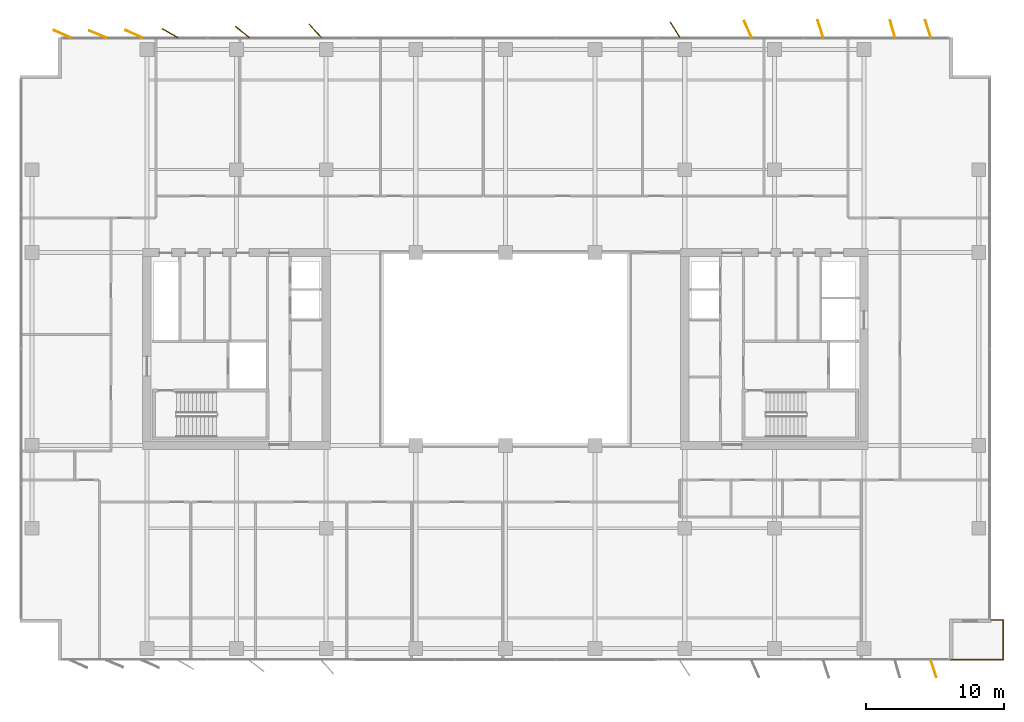
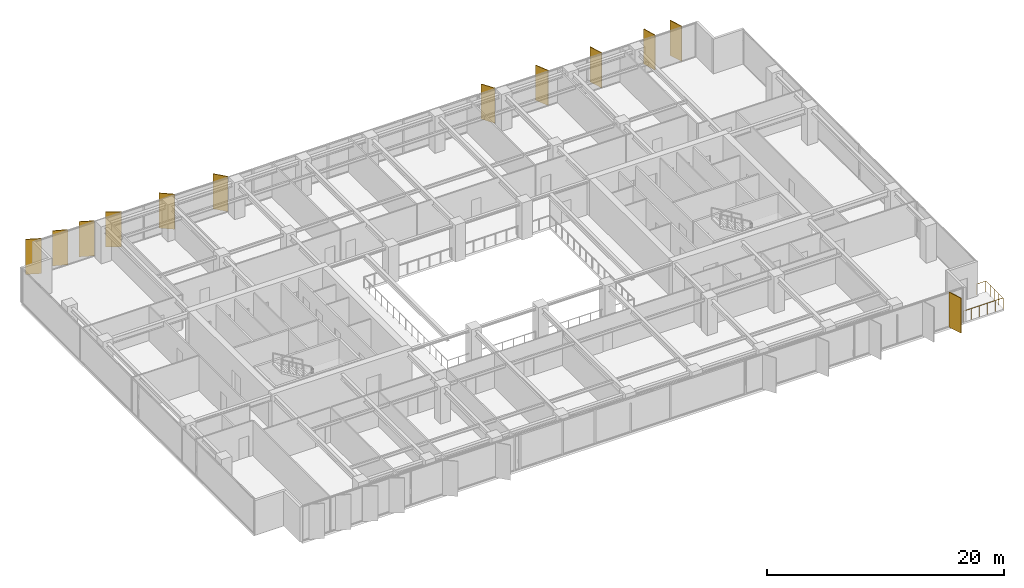
# One storey, part 22 of 22: 12 shading devices, 1 railing.
"""IFC4 building model written with IfcOpenShell, lengths in metres."""

from ifc_helpers import new_model, si_unit, direction, frame, origin, origin_2d, place, context, subcontext, project, spatial, rectangle, circle, extrude, material, layer, layer_set, type_object, element, save


model = new_model("IFC4")

# Units and contexts
model_context = context("Model", 3, precision=1e-05, world=origin(), true_north=direction((0.0, 1.0)))
body_context = subcontext(model_context, "Body", "Model", "MODEL_VIEW")
ifc_project = project(units=[si_unit("LENGTHUNIT", "METRE"), si_unit("AREAUNIT", "SQUARE_METRE"), si_unit("VOLUMEUNIT", "CUBIC_METRE"), si_unit("PLANEANGLEUNIT", "RADIAN"), si_unit("MASSUNIT", "GRAM", prefix="KILO")], contexts=[model_context])

# Site, building, storey
site_placement = place(None, origin())
site = spatial("IfcSite", under=ifc_project, at=site_placement, CompositionType="ELEMENT")
building_placement = place(site_placement, origin())
building = spatial("IfcBuilding", under=site, at=building_placement, Name="Putna Gate Headquarters", CompositionType="ELEMENT")
storey_placement = place(building_placement, frame((0.0, 0.0, 182.199951171875)))
storey = spatial("IfcBuildingStorey", under=building, at=storey_placement, Name="L45", CompositionType="ELEMENT", Elevation=182.199951171875)

# Railing
ifc_material_1 = material(Name="Anodised bronze steel and laminated glass guardrail", Category="steel")
railing_type = type_object("IfcRailingType", Name="RAIL-TERR-GUARD-1150", PredefinedType="GUARDRAIL", material=ifc_material_1)
railing_placement = place(storey_placement, frame((71.199951171875, 3.4599609375, 0.0)))
element("IfcRailing", 1, at=railing_placement, inside=storey, type_object=railing_type, Name="L45 Spiral Sky Terrace Guardrail SE", PredefinedType="GUARDRAIL", context=body_context, shape_type="SweptSolid", body=[
    extrude(circle(Radius=0.02392578125, at=origin_2d()), frame((0.0, 0.0, 1.1259765625), z_axis=(1.0, 0.0, 0.0), x_axis=(0.0, 1.0, 0.0)), (0.0, 0.0, 1.0), 3.89013671875),
    extrude(circle(Radius=0.02392578125, at=origin_2d()), frame((3.89013671875, 0.0, 1.1259765625), z_axis=(0.0, 1.0, 0.0), x_axis=(-1.0, 0.0, 0.0)), (0.0, 0.0, 1.0), 2.880126953125),
    extrude(circle(Radius=0.02392578125, at=origin_2d()), frame((3.89013671875, 2.880126953125, 1.1259765625), z_axis=(-1.0, 0.0, 0.0), x_axis=(0.0, -1.0, 0.0)), (0.0, 0.0, 1.0), 0.89013671875),
    extrude(circle(Radius=0.02099609375, at=origin_2d()), origin(), (0.0, 0.0, 1.0), 1.101806640625),
    extrude(circle(Radius=0.02099609375, at=origin_2d()), frame((0.778076171875, 0.0, 0.0)), (0.0, 0.0, 1.0), 1.101806640625),
    extrude(circle(Radius=0.02099609375, at=origin_2d()), frame((1.55615234375, 0.0, 0.0)), (0.0, 0.0, 1.0), 1.101806640625),
    extrude(circle(Radius=0.02099609375, at=origin_2d()), frame((2.333984375, 0.0, 0.0)), (0.0, 0.0, 1.0), 1.101806640625),
    extrude(circle(Radius=0.02099609375, at=origin_2d()), frame((3.112060546875, 0.0, 0.0)), (0.0, 0.0, 1.0), 1.101806640625),
    extrude(circle(Radius=0.02099609375, at=origin_2d()), frame((3.89013671875, 0.0, 0.0)), (0.0, 0.0, 1.0), 1.101806640625),
    extrude(circle(Radius=0.02099609375, at=origin_2d()), frame((3.89013671875, 0.719970703125, 0.0)), (0.0, 0.0, 1.0), 1.101806640625),
    extrude(circle(Radius=0.02099609375, at=origin_2d()), frame((3.89013671875, 1.43994140625, 0.0)), (0.0, 0.0, 1.0), 1.101806640625),
    extrude(circle(Radius=0.02099609375, at=origin_2d()), frame((3.89013671875, 2.16015625, 0.0)), (0.0, 0.0, 1.0), 1.101806640625),
    extrude(circle(Radius=0.02099609375, at=origin_2d()), frame((3.89013671875, 2.880126953125, 0.0)), (0.0, 0.0, 1.0), 1.101806640625),
    extrude(circle(Radius=0.02099609375, at=origin_2d()), frame((3.0, 2.880126953125, 0.0)), (0.0, 0.0, 1.0), 1.101806640625),
])

# Shading devices
ifc_material_2 = material(Name="Anodised architectural bronze aluminium fin", Category="aluminium")
ifc_layer = layer(ifc_material_2, 0.06494140625)
ifc_layer_set = layer_set([ifc_layer], Name="Anodised architectural bronze aluminium fin")
shading_device_type = type_object("IfcShadingDeviceType", Name="SHADE-BRONZE-FIN-1320", PredefinedType="USERDEFINED", material=ifc_layer_set)
for number, where, z_axis, x_axis, name in (
    (2, (6.846923828125, 48.84326171875, -0.02001953125), (0.0, 0.0, 1.0), (-0.913687379856, 0.40641773078, 0.0), "L45 Bronze Vertical Shading Fin N1"),
    (3, (9.43798828125, 48.822265625, -0.02001953125), (0.0, 0.0, 1.0), (-0.927183854567, 0.374606593416, 0.0), "L45 Bronze Vertical Shading Fin N2"),
    (4, (12.047119140625, 48.84326171875, -0.02001953125), (0.0, 0.0, 1.0), (-0.913687379856, 0.40641773078, 0.0), "L45 Bronze Vertical Shading Fin N3"),
    (5, (14.67626953125, 48.901123046875, -0.02001953125), (0.0, 0.0, 1.0), (-0.869322458298, 0.494245347472, 0.0), "L45 Bronze Vertical Shading Fin N4"),
    (6, (19.930419921875, 48.981689453125, -0.02001953125), (0.0, 0.0, 1.0), (-0.787473187632, 0.616348909921, 0.0), "L45 Bronze Vertical Shading Fin N5"),
    (7, (25.20849609375, 49.0654296875, -0.02001953125), (0.0, 0.0, 1.0), (-0.669130606359, 0.743144825477, 0.0), "L45 Bronze Vertical Shading Fin N6"),
    (8, (51.2998046875, 49.134521484375, -0.02001953125), (0.0, 0.0, 1.0), (-0.530659123936, 0.847585331506, 0.0), "L45 Bronze Vertical Shading Fin N7"),
    (9, (56.585693359375, 49.1796875, -0.02001953125), (0.0, 0.0, 1.0), (-0.400668879095, 0.916222925562, 0.0), "L45 Bronze Vertical Shading Fin N8"),
    (10, (61.84619140625, 49.202880859375, -0.02001953125), (0.0, 0.0, 1.0), (-0.308684994204, 0.951164325631, 0.0), "L45 Bronze Vertical Shading Fin N9"),
    (11, (67.068115234375, 49.20947265625, -0.02001953125), (0.0, 0.0, 1.0), (-0.275637355817, 0.961261695938, 0.0), "L45 Bronze Vertical Shading Fin N10"),
    (12, (70.0537109375, 2.797119140625, -0.02001953125), (0.0, 0.0, 1.0), (0.308684994204, -0.951164325631, 0.0), "L45 Bronze Vertical Shading Fin S11"),
    (13, (69.646240234375, 49.202880859375, -0.02001953125), (0.0, 0.0, 1.0), (-0.308684994204, 0.951164325631, 0.0), "L45 Bronze Vertical Shading Fin N11"),
):
    element("IfcShadingDevice", number, at=place(storey_placement, frame(where, z_axis=z_axis, x_axis=x_axis)), inside=storey, type_object=shading_device_type, Name=name, ObjectType="FIN", PredefinedType="USERDEFINED", context=body_context, shape_type="SweptSolid", body=[
        extrude(rectangle(XDim=1.320068359375, YDim=0.06494140625, at=origin_2d()), origin(), (0.0, 0.0, 1.0), 3.612060546875),
    ])

save(model, "model.ifc")
